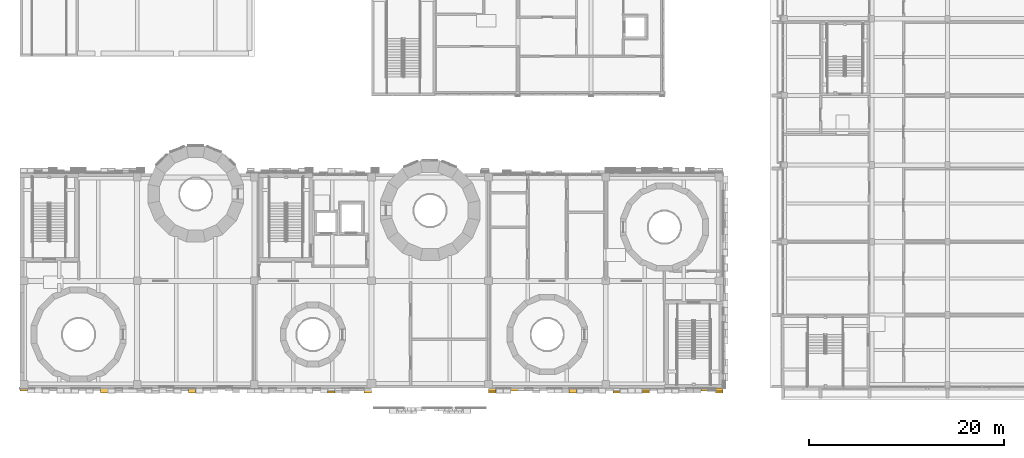
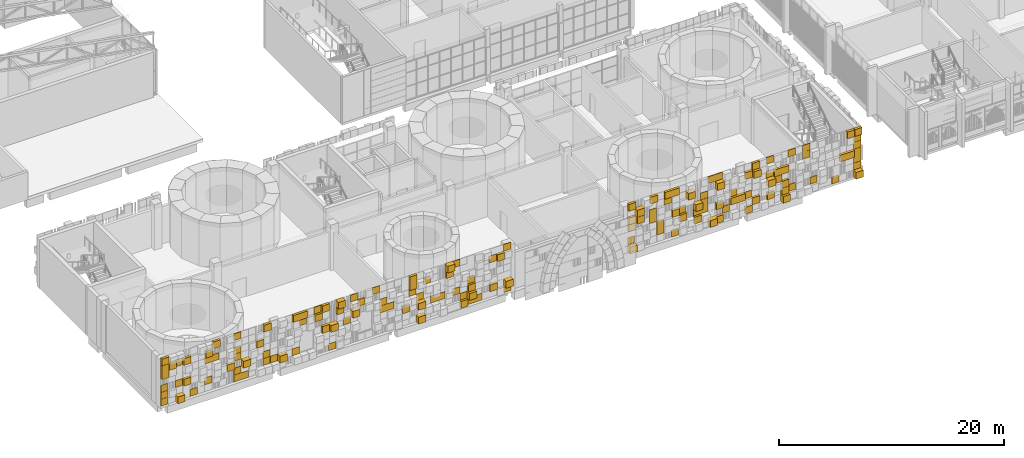
# One storey, part 93 of 125: 1 covering.
"""IFC4 building model written with IfcOpenShell, lengths in metres."""

from ifc_helpers import new_model, si_unit, direction, frame, origin, origin_2d, place, context, subcontext, project, spatial, rectangle, extrude, material, layer, layer_set, type_object, element, save


model = new_model("IFC4")

# Units and contexts
model_context = context("Model", 3, precision=1e-05, world=origin(), true_north=direction((0.0, 1.0)))
body_context = subcontext(model_context, "Body", "Model", "MODEL_VIEW")
ifc_project = project(units=[si_unit("LENGTHUNIT", "METRE"), si_unit("AREAUNIT", "SQUARE_METRE"), si_unit("VOLUMEUNIT", "CUBIC_METRE"), si_unit("PLANEANGLEUNIT", "RADIAN"), si_unit("MASSUNIT", "GRAM", prefix="KILO")], contexts=[model_context])

# Site, building, storey
site_placement = place(None, origin())
site = spatial("IfcSite", under=ifc_project, at=site_placement, CompositionType="ELEMENT")
building_placement = place(site_placement, origin())
building = spatial("IfcBuilding", under=site, at=building_placement, Name="Sun Court Science Centre", CompositionType="ELEMENT")
storey_placement = place(building_placement, frame((0.0, 0.0, 6.0)))
storey = spatial("IfcBuildingStorey", under=building, at=storey_placement, Name="L01", CompositionType="ELEMENT", Elevation=6.0)

# Covering
ifc_material = material(Name="Terracotta shade 1", Category="masonry")
ifc_layer = layer(ifc_material, 0.06005859375)
ifc_layer_set = layer_set([ifc_layer], Name="Terracotta shade 1")
covering_type = type_object("IfcCoveringType", Name="Terracotta pixel panel shade 1", PredefinedType="CLADDING", material=ifc_layer_set)
covering_placement = place(storey_placement, frame((0.0, 0.0, -6.0)))
element("IfcCovering", 1, at=covering_placement, inside=storey, type_object=covering_type, Name="Terracotta pixel cladding shade 1 south face L01", PredefinedType="CLADDING", context=body_context, shape_type="SweptSolid", body=[
    extrude(rectangle(XDim=0.739990234375, YDim=0.06005859375, at=origin_2d()), frame((69.375, 5.969970703125, 6.0048828125), z_axis=(0.0, 0.0, 1.0), x_axis=(-1.0, 0.0, 0.0)), (0.0, 0.0, 1.0), 0.739990234375),
    extrude(rectangle(XDim=0.739990234375, YDim=0.510009765625, at=origin_2d()), frame((64.125, 5.7451171875, 6.0048828125), z_axis=(0.0, 0.0, 1.0), x_axis=(-1.0, 0.0, 0.0)), (0.0, 0.0, 1.0), 0.739990234375),
    extrude(rectangle(XDim=0.739990234375, YDim=0.260009765625, at=origin_2d()), frame((60.375, 5.8701171875, 6.0048828125), z_axis=(0.0, 0.0, 1.0), x_axis=(-1.0, 0.0, 0.0)), (0.0, 0.0, 1.0), 0.739990234375),
    extrude(rectangle(XDim=0.739990234375, YDim=0.260009765625, at=origin_2d()), frame((57.375, 5.8701171875, 6.0048828125), z_axis=(0.0, 0.0, 1.0), x_axis=(-1.0, 0.0, 0.0)), (0.0, 0.0, 1.0), 0.739990234375),
    extrude(rectangle(XDim=0.739990234375, YDim=0.510009765625, at=origin_2d()), frame((56.625, 5.7451171875, 6.0048828125), z_axis=(0.0, 0.0, 1.0), x_axis=(-1.0, 0.0, 0.0)), (0.0, 0.0, 1.0), 0.739990234375),
    extrude(rectangle(XDim=0.739990234375, YDim=0.06005859375, at=origin_2d()), frame((52.875, 5.969970703125, 6.0048828125), z_axis=(0.0, 0.0, 1.0), x_axis=(-1.0, 0.0, 0.0)), (0.0, 0.0, 1.0), 0.739990234375),
    extrude(rectangle(XDim=0.739990234375, YDim=0.510009765625, at=origin_2d()), frame((48.375, 5.7451171875, 6.0048828125), z_axis=(0.0, 0.0, 1.0), x_axis=(-1.0, 0.0, 0.0)), (0.0, 0.0, 1.0), 0.739990234375),
    extrude(rectangle(XDim=0.739990234375, YDim=0.06005859375, at=origin_2d()), frame((35.625, 5.969970703125, 6.0048828125), z_axis=(0.0, 0.0, 1.0), x_axis=(-1.0, 0.0, 0.0)), (0.0, 0.0, 1.0), 0.739990234375),
    extrude(rectangle(XDim=0.739990234375, YDim=0.06005859375, at=origin_2d()), frame((32.625, 5.969970703125, 6.0048828125), z_axis=(0.0, 0.0, 1.0), x_axis=(-1.0, 0.0, 0.0)), (0.0, 0.0, 1.0), 0.739990234375),
    extrude(rectangle(XDim=0.739990234375, YDim=0.06005859375, at=origin_2d()), frame((31.875, 5.969970703125, 6.0048828125), z_axis=(0.0, 0.0, 1.0), x_axis=(-1.0, 0.0, 0.0)), (0.0, 0.0, 1.0), 0.739990234375),
    extrude(rectangle(XDim=0.739990234375, YDim=0.260009765625, at=origin_2d()), frame((31.125, 5.8701171875, 6.0048828125), z_axis=(0.0, 0.0, 1.0), x_axis=(-1.0, 0.0, 0.0)), (0.0, 0.0, 1.0), 0.739990234375),
    extrude(rectangle(XDim=0.739990234375, YDim=0.510009765625, at=origin_2d()), frame((26.625, 5.7451171875, 6.0048828125), z_axis=(0.0, 0.0, 1.0), x_axis=(-1.0, 0.0, 0.0)), (0.0, 0.0, 1.0), 0.739990234375),
    extrude(rectangle(XDim=0.739990234375, YDim=0.06005859375, at=origin_2d()), frame((17.625, 5.969970703125, 6.0048828125), z_axis=(0.0, 0.0, 1.0), x_axis=(-1.0, 0.0, 0.0)), (0.0, 0.0, 1.0), 0.739990234375),
    extrude(rectangle(XDim=0.739990234375, YDim=0.06005859375, at=origin_2d()), frame((8.625, 5.969970703125, 6.0048828125), z_axis=(0.0, 0.0, 1.0), x_axis=(-1.0, 0.0, 0.0)), (0.0, 0.0, 1.0), 0.739990234375),
    extrude(rectangle(XDim=0.739990234375, YDim=0.06005859375, at=origin_2d()), frame((7.875, 5.969970703125, 6.0048828125), z_axis=(0.0, 0.0, 1.0), x_axis=(-1.0, 0.0, 0.0)), (0.0, 0.0, 1.0), 0.739990234375),
    extrude(rectangle(XDim=0.739990234375, YDim=0.06005859375, at=origin_2d()), frame((3.375, 5.969970703125, 6.0048828125), z_axis=(0.0, 0.0, 1.0), x_axis=(-1.0, 0.0, 0.0)), (0.0, 0.0, 1.0), 0.739990234375),
    extrude(rectangle(XDim=0.739990234375, YDim=0.510009765625, at=origin_2d()), frame((1.875, 5.7451171875, 6.0048828125), z_axis=(0.0, 0.0, 1.0), x_axis=(-1.0, 0.0, 0.0)), (0.0, 0.0, 1.0), 0.739990234375),
    extrude(rectangle(XDim=0.739990234375, YDim=0.06005859375, at=origin_2d()), frame((0.375, 5.969970703125, 6.0048828125), z_axis=(0.0, 0.0, 1.0), x_axis=(-1.0, 0.0, 0.0)), (0.0, 0.0, 1.0), 0.739990234375),
    extrude(rectangle(XDim=0.739990234375, YDim=0.06005859375, at=origin_2d()), frame((71.625, 5.969970703125, 6.7548828125), z_axis=(0.0, 0.0, 1.0), x_axis=(-1.0, 0.0, 0.0)), (0.0, 0.0, 1.0), 0.739990234375),
    extrude(rectangle(XDim=0.739990234375, YDim=0.06005859375, at=origin_2d()), frame((67.125, 5.969970703125, 6.7548828125), z_axis=(0.0, 0.0, 1.0), x_axis=(-1.0, 0.0, 0.0)), (0.0, 0.0, 1.0), 0.739990234375),
    extrude(rectangle(XDim=0.739990234375, YDim=0.06005859375, at=origin_2d()), frame((64.875, 5.969970703125, 6.7548828125), z_axis=(0.0, 0.0, 1.0), x_axis=(-1.0, 0.0, 0.0)), (0.0, 0.0, 1.0), 0.739990234375),
    extrude(rectangle(XDim=0.739990234375, YDim=0.260009765625, at=origin_2d()), frame((64.125, 5.8701171875, 6.7548828125), z_axis=(0.0, 0.0, 1.0), x_axis=(-1.0, 0.0, 0.0)), (0.0, 0.0, 1.0), 0.739990234375),
    extrude(rectangle(XDim=0.739990234375, YDim=0.260009765625, at=origin_2d()), frame((62.625, 5.8701171875, 6.7548828125), z_axis=(0.0, 0.0, 1.0), x_axis=(-1.0, 0.0, 0.0)), (0.0, 0.0, 1.0), 0.739990234375),
    extrude(rectangle(XDim=0.739990234375, YDim=0.260009765625, at=origin_2d()), frame((61.125, 5.8701171875, 6.7548828125), z_axis=(0.0, 0.0, 1.0), x_axis=(-1.0, 0.0, 0.0)), (0.0, 0.0, 1.0), 0.739990234375),
    extrude(rectangle(XDim=0.739990234375, YDim=0.06005859375, at=origin_2d()), frame((58.125, 5.969970703125, 6.7548828125), z_axis=(0.0, 0.0, 1.0), x_axis=(-1.0, 0.0, 0.0)), (0.0, 0.0, 1.0), 0.739990234375),
    extrude(rectangle(XDim=0.739990234375, YDim=0.260009765625, at=origin_2d()), frame((55.125, 5.8701171875, 6.7548828125), z_axis=(0.0, 0.0, 1.0), x_axis=(-1.0, 0.0, 0.0)), (0.0, 0.0, 1.0), 0.739990234375),
    extrude(rectangle(XDim=0.739990234375, YDim=0.06005859375, at=origin_2d()), frame((51.375, 5.969970703125, 6.7548828125), z_axis=(0.0, 0.0, 1.0), x_axis=(-1.0, 0.0, 0.0)), (0.0, 0.0, 1.0), 0.739990234375),
    extrude(rectangle(XDim=0.739990234375, YDim=0.06005859375, at=origin_2d()), frame((48.375, 5.969970703125, 6.7548828125), z_axis=(0.0, 0.0, 1.0), x_axis=(-1.0, 0.0, 0.0)), (0.0, 0.0, 1.0), 0.739990234375),
    extrude(rectangle(XDim=0.739990234375, YDim=0.510009765625, at=origin_2d()), frame((35.625, 5.7451171875, 6.7548828125), z_axis=(0.0, 0.0, 1.0), x_axis=(-1.0, 0.0, 0.0)), (0.0, 0.0, 1.0), 0.739990234375),
    extrude(rectangle(XDim=0.739990234375, YDim=0.260009765625, at=origin_2d()), frame((34.125, 5.8701171875, 6.7548828125), z_axis=(0.0, 0.0, 1.0), x_axis=(-1.0, 0.0, 0.0)), (0.0, 0.0, 1.0), 0.739990234375),
    extrude(rectangle(XDim=0.739990234375, YDim=0.510009765625, at=origin_2d()), frame((31.875, 5.7451171875, 6.7548828125), z_axis=(0.0, 0.0, 1.0), x_axis=(-1.0, 0.0, 0.0)), (0.0, 0.0, 1.0), 0.739990234375),
    extrude(rectangle(XDim=0.739990234375, YDim=0.06005859375, at=origin_2d()), frame((31.125, 5.969970703125, 6.7548828125), z_axis=(0.0, 0.0, 1.0), x_axis=(-1.0, 0.0, 0.0)), (0.0, 0.0, 1.0), 0.739990234375),
    extrude(rectangle(XDim=0.739990234375, YDim=0.06005859375, at=origin_2d()), frame((13.875, 5.969970703125, 6.7548828125), z_axis=(0.0, 0.0, 1.0), x_axis=(-1.0, 0.0, 0.0)), (0.0, 0.0, 1.0), 0.739990234375),
    extrude(rectangle(XDim=0.739990234375, YDim=0.510009765625, at=origin_2d()), frame((12.375, 5.7451171875, 6.7548828125), z_axis=(0.0, 0.0, 1.0), x_axis=(-1.0, 0.0, 0.0)), (0.0, 0.0, 1.0), 0.739990234375),
    extrude(rectangle(XDim=0.739990234375, YDim=0.06005859375, at=origin_2d()), frame((11.625, 5.969970703125, 6.7548828125), z_axis=(0.0, 0.0, 1.0), x_axis=(-1.0, 0.0, 0.0)), (0.0, 0.0, 1.0), 0.739990234375),
    extrude(rectangle(XDim=0.739990234375, YDim=0.06005859375, at=origin_2d()), frame((10.875, 5.969970703125, 6.7548828125), z_axis=(0.0, 0.0, 1.0), x_axis=(-1.0, 0.0, 0.0)), (0.0, 0.0, 1.0), 0.739990234375),
    extrude(rectangle(XDim=0.739990234375, YDim=0.06005859375, at=origin_2d()), frame((7.875, 5.969970703125, 6.7548828125), z_axis=(0.0, 0.0, 1.0), x_axis=(-1.0, 0.0, 0.0)), (0.0, 0.0, 1.0), 0.739990234375),
    extrude(rectangle(XDim=0.739990234375, YDim=0.06005859375, at=origin_2d()), frame((4.875, 5.969970703125, 6.7548828125), z_axis=(0.0, 0.0, 1.0), x_axis=(-1.0, 0.0, 0.0)), (0.0, 0.0, 1.0), 0.739990234375),
    extrude(rectangle(XDim=0.739990234375, YDim=0.06005859375, at=origin_2d()), frame((71.625, 5.969970703125, 7.5048828125), z_axis=(0.0, 0.0, 1.0), x_axis=(-1.0, 0.0, 0.0)), (0.0, 0.0, 1.0), 0.739990234375),
    extrude(rectangle(XDim=0.739990234375, YDim=0.260009765625, at=origin_2d()), frame((64.125, 5.8701171875, 7.5048828125), z_axis=(0.0, 0.0, 1.0), x_axis=(-1.0, 0.0, 0.0)), (0.0, 0.0, 1.0), 0.739990234375),
    extrude(rectangle(XDim=0.739990234375, YDim=0.06005859375, at=origin_2d()), frame((60.375, 5.969970703125, 7.5048828125), z_axis=(0.0, 0.0, 1.0), x_axis=(-1.0, 0.0, 0.0)), (0.0, 0.0, 1.0), 0.739990234375),
    extrude(rectangle(XDim=0.739990234375, YDim=0.260009765625, at=origin_2d()), frame((59.625, 5.8701171875, 7.5048828125), z_axis=(0.0, 0.0, 1.0), x_axis=(-1.0, 0.0, 0.0)), (0.0, 0.0, 1.0), 0.739990234375),
    extrude(rectangle(XDim=0.739990234375, YDim=0.260009765625, at=origin_2d()), frame((58.875, 5.8701171875, 7.5048828125), z_axis=(0.0, 0.0, 1.0), x_axis=(-1.0, 0.0, 0.0)), (0.0, 0.0, 1.0), 0.739990234375),
    extrude(rectangle(XDim=0.739990234375, YDim=0.260009765625, at=origin_2d()), frame((57.375, 5.8701171875, 7.5048828125), z_axis=(0.0, 0.0, 1.0), x_axis=(-1.0, 0.0, 0.0)), (0.0, 0.0, 1.0), 0.739990234375),
    extrude(rectangle(XDim=0.739990234375, YDim=0.06005859375, at=origin_2d()), frame((55.875, 5.969970703125, 7.5048828125), z_axis=(0.0, 0.0, 1.0), x_axis=(-1.0, 0.0, 0.0)), (0.0, 0.0, 1.0), 0.739990234375),
    extrude(rectangle(XDim=0.739990234375, YDim=0.06005859375, at=origin_2d()), frame((55.125, 5.969970703125, 7.5048828125), z_axis=(0.0, 0.0, 1.0), x_axis=(-1.0, 0.0, 0.0)), (0.0, 0.0, 1.0), 0.739990234375),
    extrude(rectangle(XDim=0.739990234375, YDim=0.260009765625, at=origin_2d()), frame((53.625, 5.8701171875, 7.5048828125), z_axis=(0.0, 0.0, 1.0), x_axis=(-1.0, 0.0, 0.0)), (0.0, 0.0, 1.0), 0.739990234375),
    extrude(rectangle(XDim=0.739990234375, YDim=0.06005859375, at=origin_2d()), frame((51.375, 5.969970703125, 7.5048828125), z_axis=(0.0, 0.0, 1.0), x_axis=(-1.0, 0.0, 0.0)), (0.0, 0.0, 1.0), 0.739990234375),
    extrude(rectangle(XDim=0.739990234375, YDim=0.260009765625, at=origin_2d()), frame((31.875, 5.8701171875, 7.5048828125), z_axis=(0.0, 0.0, 1.0), x_axis=(-1.0, 0.0, 0.0)), (0.0, 0.0, 1.0), 0.739990234375),
    extrude(rectangle(XDim=0.739990234375, YDim=0.06005859375, at=origin_2d()), frame((30.375, 5.969970703125, 7.5048828125), z_axis=(0.0, 0.0, 1.0), x_axis=(-1.0, 0.0, 0.0)), (0.0, 0.0, 1.0), 0.739990234375),
    extrude(rectangle(XDim=0.739990234375, YDim=0.06005859375, at=origin_2d()), frame((28.875, 5.969970703125, 7.5048828125), z_axis=(0.0, 0.0, 1.0), x_axis=(-1.0, 0.0, 0.0)), (0.0, 0.0, 1.0), 0.739990234375),
    extrude(rectangle(XDim=0.739990234375, YDim=0.06005859375, at=origin_2d()), frame((28.125, 5.969970703125, 7.5048828125), z_axis=(0.0, 0.0, 1.0), x_axis=(-1.0, 0.0, 0.0)), (0.0, 0.0, 1.0), 0.739990234375),
    extrude(rectangle(XDim=0.739990234375, YDim=0.510009765625, at=origin_2d()), frame((26.625, 5.7451171875, 7.5048828125), z_axis=(0.0, 0.0, 1.0), x_axis=(-1.0, 0.0, 0.0)), (0.0, 0.0, 1.0), 0.739990234375),
    extrude(rectangle(XDim=0.739990234375, YDim=0.260009765625, at=origin_2d()), frame((25.125, 5.8701171875, 7.5048828125), z_axis=(0.0, 0.0, 1.0), x_axis=(-1.0, 0.0, 0.0)), (0.0, 0.0, 1.0), 0.739990234375),
    extrude(rectangle(XDim=0.739990234375, YDim=0.06005859375, at=origin_2d()), frame((10.875, 5.969970703125, 7.5048828125), z_axis=(0.0, 0.0, 1.0), x_axis=(-1.0, 0.0, 0.0)), (0.0, 0.0, 1.0), 0.739990234375),
    extrude(rectangle(XDim=0.739990234375, YDim=0.510009765625, at=origin_2d()), frame((8.625, 5.7451171875, 7.5048828125), z_axis=(0.0, 0.0, 1.0), x_axis=(-1.0, 0.0, 0.0)), (0.0, 0.0, 1.0), 0.739990234375),
    extrude(rectangle(XDim=0.739990234375, YDim=0.260009765625, at=origin_2d()), frame((7.125, 5.8701171875, 7.5048828125), z_axis=(0.0, 0.0, 1.0), x_axis=(-1.0, 0.0, 0.0)), (0.0, 0.0, 1.0), 0.739990234375),
    extrude(rectangle(XDim=0.739990234375, YDim=0.260009765625, at=origin_2d()), frame((2.625, 5.8701171875, 7.5048828125), z_axis=(0.0, 0.0, 1.0), x_axis=(-1.0, 0.0, 0.0)), (0.0, 0.0, 1.0), 0.739990234375),
    extrude(rectangle(XDim=0.739990234375, YDim=0.06005859375, at=origin_2d()), frame((1.875, 5.969970703125, 7.5048828125), z_axis=(0.0, 0.0, 1.0), x_axis=(-1.0, 0.0, 0.0)), (0.0, 0.0, 1.0), 0.739990234375),
    extrude(rectangle(XDim=0.739990234375, YDim=0.06005859375, at=origin_2d()), frame((71.625, 5.969970703125, 8.2548828125), z_axis=(0.0, 0.0, 1.0), x_axis=(-1.0, 0.0, 0.0)), (0.0, 0.0, 1.0), 0.739990234375),
    extrude(rectangle(XDim=0.739990234375, YDim=0.260009765625, at=origin_2d()), frame((70.875, 5.8701171875, 8.2548828125), z_axis=(0.0, 0.0, 1.0), x_axis=(-1.0, 0.0, 0.0)), (0.0, 0.0, 1.0), 0.739990234375),
    extrude(rectangle(XDim=0.739990234375, YDim=0.260009765625, at=origin_2d()), frame((70.125, 5.8701171875, 8.2548828125), z_axis=(0.0, 0.0, 1.0), x_axis=(-1.0, 0.0, 0.0)), (0.0, 0.0, 1.0), 0.739990234375),
    extrude(rectangle(XDim=0.739990234375, YDim=0.260009765625, at=origin_2d()), frame((63.375, 5.8701171875, 8.2548828125), z_axis=(0.0, 0.0, 1.0), x_axis=(-1.0, 0.0, 0.0)), (0.0, 0.0, 1.0), 0.739990234375),
    extrude(rectangle(XDim=0.739990234375, YDim=0.510009765625, at=origin_2d()), frame((62.625, 5.7451171875, 8.2548828125), z_axis=(0.0, 0.0, 1.0), x_axis=(-1.0, 0.0, 0.0)), (0.0, 0.0, 1.0), 0.739990234375),
    extrude(rectangle(XDim=0.739990234375, YDim=0.06005859375, at=origin_2d()), frame((58.875, 5.969970703125, 8.2548828125), z_axis=(0.0, 0.0, 1.0), x_axis=(-1.0, 0.0, 0.0)), (0.0, 0.0, 1.0), 0.739990234375),
    extrude(rectangle(XDim=0.739990234375, YDim=0.06005859375, at=origin_2d()), frame((55.875, 5.969970703125, 8.2548828125), z_axis=(0.0, 0.0, 1.0), x_axis=(-1.0, 0.0, 0.0)), (0.0, 0.0, 1.0), 0.739990234375),
    extrude(rectangle(XDim=0.739990234375, YDim=0.510009765625, at=origin_2d()), frame((55.125, 5.7451171875, 8.2548828125), z_axis=(0.0, 0.0, 1.0), x_axis=(-1.0, 0.0, 0.0)), (0.0, 0.0, 1.0), 0.739990234375),
    extrude(rectangle(XDim=0.739990234375, YDim=0.06005859375, at=origin_2d()), frame((53.625, 5.969970703125, 8.2548828125), z_axis=(0.0, 0.0, 1.0), x_axis=(-1.0, 0.0, 0.0)), (0.0, 0.0, 1.0), 0.739990234375),
    extrude(rectangle(XDim=0.739990234375, YDim=0.260009765625, at=origin_2d()), frame((52.875, 5.8701171875, 8.2548828125), z_axis=(0.0, 0.0, 1.0), x_axis=(-1.0, 0.0, 0.0)), (0.0, 0.0, 1.0), 0.739990234375),
    extrude(rectangle(XDim=0.739990234375, YDim=0.06005859375, at=origin_2d()), frame((50.625, 5.969970703125, 8.2548828125), z_axis=(0.0, 0.0, 1.0), x_axis=(-1.0, 0.0, 0.0)), (0.0, 0.0, 1.0), 0.739990234375),
    extrude(rectangle(XDim=0.739990234375, YDim=0.260009765625, at=origin_2d()), frame((48.375, 5.8701171875, 8.2548828125), z_axis=(0.0, 0.0, 1.0), x_axis=(-1.0, 0.0, 0.0)), (0.0, 0.0, 1.0), 0.739990234375),
    extrude(rectangle(XDim=0.739990234375, YDim=0.06005859375, at=origin_2d()), frame((31.875, 5.969970703125, 8.2548828125), z_axis=(0.0, 0.0, 1.0), x_axis=(-1.0, 0.0, 0.0)), (0.0, 0.0, 1.0), 0.739990234375),
    extrude(rectangle(XDim=0.739990234375, YDim=0.06005859375, at=origin_2d()), frame((26.625, 5.969970703125, 8.2548828125), z_axis=(0.0, 0.0, 1.0), x_axis=(-1.0, 0.0, 0.0)), (0.0, 0.0, 1.0), 0.739990234375),
    extrude(rectangle(XDim=0.739990234375, YDim=0.06005859375, at=origin_2d()), frame((23.625, 5.969970703125, 8.2548828125), z_axis=(0.0, 0.0, 1.0), x_axis=(-1.0, 0.0, 0.0)), (0.0, 0.0, 1.0), 0.739990234375),
    extrude(rectangle(XDim=0.739990234375, YDim=0.06005859375, at=origin_2d()), frame((22.875, 5.969970703125, 8.2548828125), z_axis=(0.0, 0.0, 1.0), x_axis=(-1.0, 0.0, 0.0)), (0.0, 0.0, 1.0), 0.739990234375),
    extrude(rectangle(XDim=0.739990234375, YDim=0.06005859375, at=origin_2d()), frame((19.125, 5.969970703125, 8.2548828125), z_axis=(0.0, 0.0, 1.0), x_axis=(-1.0, 0.0, 0.0)), (0.0, 0.0, 1.0), 0.739990234375),
    extrude(rectangle(XDim=0.739990234375, YDim=0.510009765625, at=origin_2d()), frame((17.625, 5.7451171875, 8.2548828125), z_axis=(0.0, 0.0, 1.0), x_axis=(-1.0, 0.0, 0.0)), (0.0, 0.0, 1.0), 0.739990234375),
    extrude(rectangle(XDim=0.739990234375, YDim=0.260009765625, at=origin_2d()), frame((16.875, 5.8701171875, 8.2548828125), z_axis=(0.0, 0.0, 1.0), x_axis=(-1.0, 0.0, 0.0)), (0.0, 0.0, 1.0), 0.739990234375),
    extrude(rectangle(XDim=0.739990234375, YDim=0.06005859375, at=origin_2d()), frame((7.875, 5.969970703125, 8.2548828125), z_axis=(0.0, 0.0, 1.0), x_axis=(-1.0, 0.0, 0.0)), (0.0, 0.0, 1.0), 0.739990234375),
    extrude(rectangle(XDim=0.739990234375, YDim=0.260009765625, at=origin_2d()), frame((64.125, 5.8701171875, 9.0048828125), z_axis=(0.0, 0.0, 1.0), x_axis=(-1.0, 0.0, 0.0)), (0.0, 0.0, 1.0), 0.739990234375),
    extrude(rectangle(XDim=0.739990234375, YDim=0.260009765625, at=origin_2d()), frame((63.375, 5.8701171875, 9.0048828125), z_axis=(0.0, 0.0, 1.0), x_axis=(-1.0, 0.0, 0.0)), (0.0, 0.0, 1.0), 0.739990234375),
    extrude(rectangle(XDim=0.739990234375, YDim=0.06005859375, at=origin_2d()), frame((62.625, 5.969970703125, 9.0048828125), z_axis=(0.0, 0.0, 1.0), x_axis=(-1.0, 0.0, 0.0)), (0.0, 0.0, 1.0), 0.739990234375),
    extrude(rectangle(XDim=0.739990234375, YDim=0.06005859375, at=origin_2d()), frame((55.875, 5.969970703125, 9.0048828125), z_axis=(0.0, 0.0, 1.0), x_axis=(-1.0, 0.0, 0.0)), (0.0, 0.0, 1.0), 0.739990234375),
    extrude(rectangle(XDim=0.739990234375, YDim=0.06005859375, at=origin_2d()), frame((50.625, 5.969970703125, 9.0048828125), z_axis=(0.0, 0.0, 1.0), x_axis=(-1.0, 0.0, 0.0)), (0.0, 0.0, 1.0), 0.739990234375),
    extrude(rectangle(XDim=0.739990234375, YDim=0.510009765625, at=origin_2d()), frame((49.125, 5.7451171875, 9.0048828125), z_axis=(0.0, 0.0, 1.0), x_axis=(-1.0, 0.0, 0.0)), (0.0, 0.0, 1.0), 0.739990234375),
    extrude(rectangle(XDim=0.739990234375, YDim=0.260009765625, at=origin_2d()), frame((48.375, 5.8701171875, 9.0048828125), z_axis=(0.0, 0.0, 1.0), x_axis=(-1.0, 0.0, 0.0)), (0.0, 0.0, 1.0), 0.739990234375),
    extrude(rectangle(XDim=0.739990234375, YDim=0.06005859375, at=origin_2d()), frame((25.875, 5.969970703125, 9.0048828125), z_axis=(0.0, 0.0, 1.0), x_axis=(-1.0, 0.0, 0.0)), (0.0, 0.0, 1.0), 0.739990234375),
    extrude(rectangle(XDim=0.739990234375, YDim=0.06005859375, at=origin_2d()), frame((22.875, 5.969970703125, 9.0048828125), z_axis=(0.0, 0.0, 1.0), x_axis=(-1.0, 0.0, 0.0)), (0.0, 0.0, 1.0), 0.739990234375),
    extrude(rectangle(XDim=0.739990234375, YDim=0.510009765625, at=origin_2d()), frame((19.875, 5.7451171875, 9.0048828125), z_axis=(0.0, 0.0, 1.0), x_axis=(-1.0, 0.0, 0.0)), (0.0, 0.0, 1.0), 0.739990234375),
    extrude(rectangle(XDim=0.739990234375, YDim=0.260009765625, at=origin_2d()), frame((10.125, 5.8701171875, 9.0048828125), z_axis=(0.0, 0.0, 1.0), x_axis=(-1.0, 0.0, 0.0)), (0.0, 0.0, 1.0), 0.739990234375),
    extrude(rectangle(XDim=0.739990234375, YDim=0.06005859375, at=origin_2d()), frame((7.875, 5.969970703125, 9.0048828125), z_axis=(0.0, 0.0, 1.0), x_axis=(-1.0, 0.0, 0.0)), (0.0, 0.0, 1.0), 0.739990234375),
    extrude(rectangle(XDim=0.739990234375, YDim=0.06005859375, at=origin_2d()), frame((5.625, 5.969970703125, 9.0048828125), z_axis=(0.0, 0.0, 1.0), x_axis=(-1.0, 0.0, 0.0)), (0.0, 0.0, 1.0), 0.739990234375),
    extrude(rectangle(XDim=0.739990234375, YDim=0.06005859375, at=origin_2d()), frame((4.875, 5.969970703125, 9.0048828125), z_axis=(0.0, 0.0, 1.0), x_axis=(-1.0, 0.0, 0.0)), (0.0, 0.0, 1.0), 0.739990234375),
    extrude(rectangle(XDim=0.739990234375, YDim=0.06005859375, at=origin_2d()), frame((66.375, 5.969970703125, 9.7548828125), z_axis=(0.0, 0.0, 1.0), x_axis=(-1.0, 0.0, 0.0)), (0.0, 0.0, 1.0), 0.739990234375),
    extrude(rectangle(XDim=0.739990234375, YDim=0.510009765625, at=origin_2d()), frame((61.125, 5.7451171875, 9.7548828125), z_axis=(0.0, 0.0, 1.0), x_axis=(-1.0, 0.0, 0.0)), (0.0, 0.0, 1.0), 0.739990234375),
    extrude(rectangle(XDim=0.739990234375, YDim=0.260009765625, at=origin_2d()), frame((60.375, 5.8701171875, 9.7548828125), z_axis=(0.0, 0.0, 1.0), x_axis=(-1.0, 0.0, 0.0)), (0.0, 0.0, 1.0), 0.739990234375),
    extrude(rectangle(XDim=0.739990234375, YDim=0.510009765625, at=origin_2d()), frame((57.375, 5.7451171875, 9.7548828125), z_axis=(0.0, 0.0, 1.0), x_axis=(-1.0, 0.0, 0.0)), (0.0, 0.0, 1.0), 0.739990234375),
    extrude(rectangle(XDim=0.739990234375, YDim=0.510009765625, at=origin_2d()), frame((54.375, 5.7451171875, 9.7548828125), z_axis=(0.0, 0.0, 1.0), x_axis=(-1.0, 0.0, 0.0)), (0.0, 0.0, 1.0), 0.739990234375),
    extrude(rectangle(XDim=0.739990234375, YDim=0.06005859375, at=origin_2d()), frame((52.125, 5.969970703125, 9.7548828125), z_axis=(0.0, 0.0, 1.0), x_axis=(-1.0, 0.0, 0.0)), (0.0, 0.0, 1.0), 0.739990234375),
    extrude(rectangle(XDim=0.739990234375, YDim=0.510009765625, at=origin_2d()), frame((49.125, 5.7451171875, 9.7548828125), z_axis=(0.0, 0.0, 1.0), x_axis=(-1.0, 0.0, 0.0)), (0.0, 0.0, 1.0), 0.739990234375),
    extrude(rectangle(XDim=0.739990234375, YDim=0.260009765625, at=origin_2d()), frame((34.875, 5.8701171875, 9.7548828125), z_axis=(0.0, 0.0, 1.0), x_axis=(-1.0, 0.0, 0.0)), (0.0, 0.0, 1.0), 0.739990234375),
    extrude(rectangle(XDim=0.739990234375, YDim=0.06005859375, at=origin_2d()), frame((34.125, 5.969970703125, 9.7548828125), z_axis=(0.0, 0.0, 1.0), x_axis=(-1.0, 0.0, 0.0)), (0.0, 0.0, 1.0), 0.739990234375),
    extrude(rectangle(XDim=0.739990234375, YDim=0.260009765625, at=origin_2d()), frame((29.625, 5.8701171875, 9.7548828125), z_axis=(0.0, 0.0, 1.0), x_axis=(-1.0, 0.0, 0.0)), (0.0, 0.0, 1.0), 0.739990234375),
    extrude(rectangle(XDim=0.739990234375, YDim=0.06005859375, at=origin_2d()), frame((27.375, 5.969970703125, 9.7548828125), z_axis=(0.0, 0.0, 1.0), x_axis=(-1.0, 0.0, 0.0)), (0.0, 0.0, 1.0), 0.739990234375),
    extrude(rectangle(XDim=0.739990234375, YDim=0.260009765625, at=origin_2d()), frame((25.875, 5.8701171875, 9.7548828125), z_axis=(0.0, 0.0, 1.0), x_axis=(-1.0, 0.0, 0.0)), (0.0, 0.0, 1.0), 0.739990234375),
    extrude(rectangle(XDim=0.739990234375, YDim=0.06005859375, at=origin_2d()), frame((20.625, 5.969970703125, 9.7548828125), z_axis=(0.0, 0.0, 1.0), x_axis=(-1.0, 0.0, 0.0)), (0.0, 0.0, 1.0), 0.739990234375),
    extrude(rectangle(XDim=0.739990234375, YDim=0.260009765625, at=origin_2d()), frame((18.375, 5.8701171875, 9.7548828125), z_axis=(0.0, 0.0, 1.0), x_axis=(-1.0, 0.0, 0.0)), (0.0, 0.0, 1.0), 0.739990234375),
    extrude(rectangle(XDim=0.739990234375, YDim=0.260009765625, at=origin_2d()), frame((16.125, 5.8701171875, 9.7548828125), z_axis=(0.0, 0.0, 1.0), x_axis=(-1.0, 0.0, 0.0)), (0.0, 0.0, 1.0), 0.739990234375),
    extrude(rectangle(XDim=0.739990234375, YDim=0.06005859375, at=origin_2d()), frame((14.625, 5.969970703125, 9.7548828125), z_axis=(0.0, 0.0, 1.0), x_axis=(-1.0, 0.0, 0.0)), (0.0, 0.0, 1.0), 0.739990234375),
    extrude(rectangle(XDim=0.739990234375, YDim=0.260009765625, at=origin_2d()), frame((4.875, 5.8701171875, 9.7548828125), z_axis=(0.0, 0.0, 1.0), x_axis=(-1.0, 0.0, 0.0)), (0.0, 0.0, 1.0), 0.739990234375),
    extrude(rectangle(XDim=0.739990234375, YDim=0.260009765625, at=origin_2d()), frame((2.625, 5.8701171875, 9.7548828125), z_axis=(0.0, 0.0, 1.0), x_axis=(-1.0, 0.0, 0.0)), (0.0, 0.0, 1.0), 0.739990234375),
    extrude(rectangle(XDim=0.739990234375, YDim=0.06005859375, at=origin_2d()), frame((1.875, 5.969970703125, 9.7548828125), z_axis=(0.0, 0.0, 1.0), x_axis=(-1.0, 0.0, 0.0)), (0.0, 0.0, 1.0), 0.739990234375),
    extrude(rectangle(XDim=0.739990234375, YDim=0.260009765625, at=origin_2d()), frame((1.125, 5.8701171875, 9.7548828125), z_axis=(0.0, 0.0, 1.0), x_axis=(-1.0, 0.0, 0.0)), (0.0, 0.0, 1.0), 0.739990234375),
    extrude(rectangle(XDim=0.739990234375, YDim=0.260009765625, at=origin_2d()), frame((0.375, 5.8701171875, 9.7548828125), z_axis=(0.0, 0.0, 1.0), x_axis=(-1.0, 0.0, 0.0)), (0.0, 0.0, 1.0), 0.739990234375),
    extrude(rectangle(XDim=0.739990234375, YDim=0.260009765625, at=origin_2d()), frame((70.875, 5.8701171875, 10.5048828125), z_axis=(0.0, 0.0, 1.0), x_axis=(-1.0, 0.0, 0.0)), (0.0, 0.0, 1.0), 0.739990234375),
    extrude(rectangle(XDim=0.739990234375, YDim=0.06005859375, at=origin_2d()), frame((66.375, 5.969970703125, 10.5048828125), z_axis=(0.0, 0.0, 1.0), x_axis=(-1.0, 0.0, 0.0)), (0.0, 0.0, 1.0), 0.739990234375),
    extrude(rectangle(XDim=0.739990234375, YDim=0.06005859375, at=origin_2d()), frame((64.875, 5.969970703125, 10.5048828125), z_axis=(0.0, 0.0, 1.0), x_axis=(-1.0, 0.0, 0.0)), (0.0, 0.0, 1.0), 0.739990234375),
    extrude(rectangle(XDim=0.739990234375, YDim=0.06005859375, at=origin_2d()), frame((62.625, 5.969970703125, 10.5048828125), z_axis=(0.0, 0.0, 1.0), x_axis=(-1.0, 0.0, 0.0)), (0.0, 0.0, 1.0), 0.739990234375),
    extrude(rectangle(XDim=0.739990234375, YDim=0.260009765625, at=origin_2d()), frame((61.125, 5.8701171875, 10.5048828125), z_axis=(0.0, 0.0, 1.0), x_axis=(-1.0, 0.0, 0.0)), (0.0, 0.0, 1.0), 0.739990234375),
    extrude(rectangle(XDim=0.739990234375, YDim=0.06005859375, at=origin_2d()), frame((57.375, 5.969970703125, 10.5048828125), z_axis=(0.0, 0.0, 1.0), x_axis=(-1.0, 0.0, 0.0)), (0.0, 0.0, 1.0), 0.739990234375),
    extrude(rectangle(XDim=0.739990234375, YDim=0.06005859375, at=origin_2d()), frame((56.625, 5.969970703125, 10.5048828125), z_axis=(0.0, 0.0, 1.0), x_axis=(-1.0, 0.0, 0.0)), (0.0, 0.0, 1.0), 0.739990234375),
    extrude(rectangle(XDim=0.739990234375, YDim=0.260009765625, at=origin_2d()), frame((52.875, 5.8701171875, 10.5048828125), z_axis=(0.0, 0.0, 1.0), x_axis=(-1.0, 0.0, 0.0)), (0.0, 0.0, 1.0), 0.739990234375),
    extrude(rectangle(XDim=0.739990234375, YDim=0.260009765625, at=origin_2d()), frame((52.125, 5.8701171875, 10.5048828125), z_axis=(0.0, 0.0, 1.0), x_axis=(-1.0, 0.0, 0.0)), (0.0, 0.0, 1.0), 0.739990234375),
    extrude(rectangle(XDim=0.739990234375, YDim=0.260009765625, at=origin_2d()), frame((50.625, 5.8701171875, 10.5048828125), z_axis=(0.0, 0.0, 1.0), x_axis=(-1.0, 0.0, 0.0)), (0.0, 0.0, 1.0), 0.739990234375),
    extrude(rectangle(XDim=0.739990234375, YDim=0.260009765625, at=origin_2d()), frame((48.375, 5.8701171875, 10.5048828125), z_axis=(0.0, 0.0, 1.0), x_axis=(-1.0, 0.0, 0.0)), (0.0, 0.0, 1.0), 0.739990234375),
    extrude(rectangle(XDim=0.739990234375, YDim=0.06005859375, at=origin_2d()), frame((35.625, 5.969970703125, 10.5048828125), z_axis=(0.0, 0.0, 1.0), x_axis=(-1.0, 0.0, 0.0)), (0.0, 0.0, 1.0), 0.739990234375),
    extrude(rectangle(XDim=0.739990234375, YDim=0.06005859375, at=origin_2d()), frame((30.375, 5.969970703125, 10.5048828125), z_axis=(0.0, 0.0, 1.0), x_axis=(-1.0, 0.0, 0.0)), (0.0, 0.0, 1.0), 0.739990234375),
    extrude(rectangle(XDim=0.739990234375, YDim=0.510009765625, at=origin_2d()), frame((29.625, 5.7451171875, 10.5048828125), z_axis=(0.0, 0.0, 1.0), x_axis=(-1.0, 0.0, 0.0)), (0.0, 0.0, 1.0), 0.739990234375),
    extrude(rectangle(XDim=0.739990234375, YDim=0.260009765625, at=origin_2d()), frame((25.875, 5.8701171875, 10.5048828125), z_axis=(0.0, 0.0, 1.0), x_axis=(-1.0, 0.0, 0.0)), (0.0, 0.0, 1.0), 0.739990234375),
    extrude(rectangle(XDim=0.739990234375, YDim=0.06005859375, at=origin_2d()), frame((22.125, 5.969970703125, 10.5048828125), z_axis=(0.0, 0.0, 1.0), x_axis=(-1.0, 0.0, 0.0)), (0.0, 0.0, 1.0), 0.739990234375),
    extrude(rectangle(XDim=0.739990234375, YDim=0.06005859375, at=origin_2d()), frame((19.875, 5.969970703125, 10.5048828125), z_axis=(0.0, 0.0, 1.0), x_axis=(-1.0, 0.0, 0.0)), (0.0, 0.0, 1.0), 0.739990234375),
    extrude(rectangle(XDim=0.739990234375, YDim=0.510009765625, at=origin_2d()), frame((18.375, 5.7451171875, 10.5048828125), z_axis=(0.0, 0.0, 1.0), x_axis=(-1.0, 0.0, 0.0)), (0.0, 0.0, 1.0), 0.739990234375),
    extrude(rectangle(XDim=0.739990234375, YDim=0.260009765625, at=origin_2d()), frame((16.875, 5.8701171875, 10.5048828125), z_axis=(0.0, 0.0, 1.0), x_axis=(-1.0, 0.0, 0.0)), (0.0, 0.0, 1.0), 0.739990234375),
    extrude(rectangle(XDim=0.739990234375, YDim=0.06005859375, at=origin_2d()), frame((16.125, 5.969970703125, 10.5048828125), z_axis=(0.0, 0.0, 1.0), x_axis=(-1.0, 0.0, 0.0)), (0.0, 0.0, 1.0), 0.739990234375),
    extrude(rectangle(XDim=0.739990234375, YDim=0.260009765625, at=origin_2d()), frame((14.625, 5.8701171875, 10.5048828125), z_axis=(0.0, 0.0, 1.0), x_axis=(-1.0, 0.0, 0.0)), (0.0, 0.0, 1.0), 0.739990234375),
    extrude(rectangle(XDim=0.739990234375, YDim=0.260009765625, at=origin_2d()), frame((13.875, 5.8701171875, 10.5048828125), z_axis=(0.0, 0.0, 1.0), x_axis=(-1.0, 0.0, 0.0)), (0.0, 0.0, 1.0), 0.739990234375),
    extrude(rectangle(XDim=0.739990234375, YDim=0.260009765625, at=origin_2d()), frame((10.875, 5.8701171875, 10.5048828125), z_axis=(0.0, 0.0, 1.0), x_axis=(-1.0, 0.0, 0.0)), (0.0, 0.0, 1.0), 0.739990234375),
    extrude(rectangle(XDim=0.739990234375, YDim=0.06005859375, at=origin_2d()), frame((7.875, 5.969970703125, 10.5048828125), z_axis=(0.0, 0.0, 1.0), x_axis=(-1.0, 0.0, 0.0)), (0.0, 0.0, 1.0), 0.739990234375),
    extrude(rectangle(XDim=0.739990234375, YDim=0.260009765625, at=origin_2d()), frame((5.625, 5.8701171875, 10.5048828125), z_axis=(0.0, 0.0, 1.0), x_axis=(-1.0, 0.0, 0.0)), (0.0, 0.0, 1.0), 0.739990234375),
    extrude(rectangle(XDim=0.739990234375, YDim=0.260009765625, at=origin_2d()), frame((0.375, 5.8701171875, 10.5048828125), z_axis=(0.0, 0.0, 1.0), x_axis=(-1.0, 0.0, 0.0)), (0.0, 0.0, 1.0), 0.739990234375),
    extrude(rectangle(XDim=0.739990234375, YDim=0.06005859375, at=origin_2d()), frame((0.375, 5.969970703125, 7.5048828125), z_axis=(0.0, 0.0, 1.0), x_axis=(-1.0, 0.0, 0.0)), (0.0, 0.0, 1.0), 0.739990234375),
    extrude(rectangle(XDim=0.739990234375, YDim=0.260009765625, at=origin_2d()), frame((0.375, 5.8701171875, 9.0048828125), z_axis=(0.0, 0.0, 1.0), x_axis=(-1.0, 0.0, 0.0)), (0.0, 0.0, 1.0), 0.739990234375),
    extrude(rectangle(XDim=0.739990234375, YDim=0.510009765625, at=origin_2d()), frame((71.625, 5.7451171875, 6.0048828125), z_axis=(0.0, 0.0, 1.0), x_axis=(-1.0, 0.0, 0.0)), (0.0, 0.0, 1.0), 0.739990234375),
    extrude(rectangle(XDim=0.739990234375, YDim=0.06005859375, at=origin_2d()), frame((71.625, 5.969970703125, 9.7548828125), z_axis=(0.0, 0.0, 1.0), x_axis=(-1.0, 0.0, 0.0)), (0.0, 0.0, 1.0), 0.739990234375),
    extrude(rectangle(XDim=0.739990234375, YDim=0.06005859375, at=origin_2d()), frame((0.375, 5.969970703125, 6.7548828125), z_axis=(0.0, 0.0, 1.0), x_axis=(-1.0, 0.0, 0.0)), (0.0, 0.0, 1.0), 0.739990234375),
    extrude(rectangle(XDim=0.739990234375, YDim=0.260009765625, at=origin_2d()), frame((71.625, 5.8701171875, 10.5048828125), z_axis=(0.0, 0.0, 1.0), x_axis=(-1.0, 0.0, 0.0)), (0.0, 0.0, 1.0), 0.739990234375),
    extrude(rectangle(XDim=0.739990234375, YDim=0.06005859375, at=origin_2d()), frame((71.625, 5.969970703125, 9.0048828125), z_axis=(0.0, 0.0, 1.0), x_axis=(-1.0, 0.0, 0.0)), (0.0, 0.0, 1.0), 0.739990234375),
])

save(model, "model.ifc")
